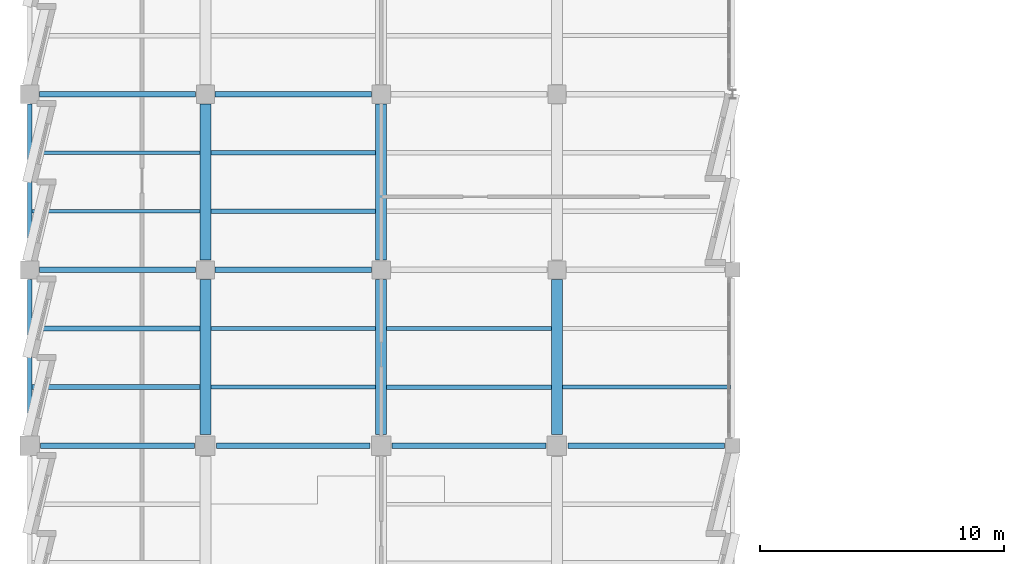
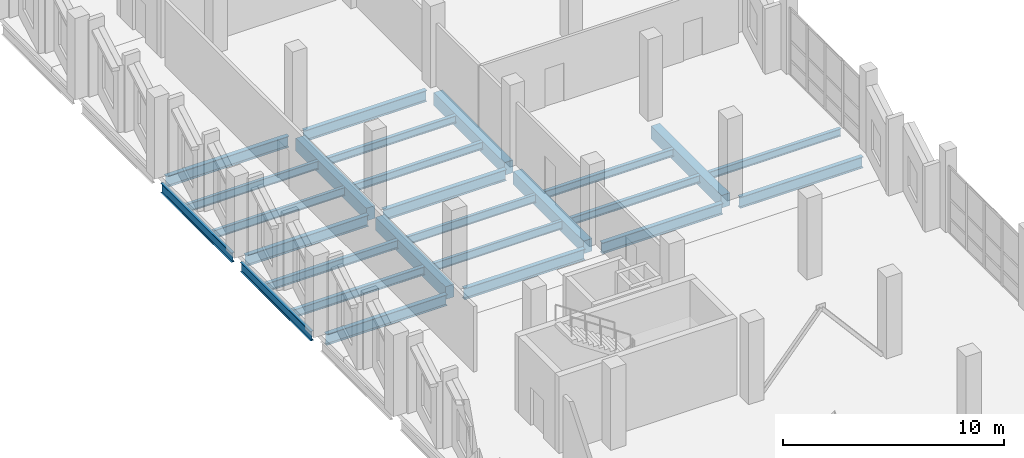
# One storey, part 41 of 123: 26 beams.
"""IFC4 building model written with IfcOpenShell, lengths in metres."""

import ifcopenshell
import ifcopenshell.guid

model = None  # the IFC model being written
_history = None  # IfcOwnerHistory: only IFC2X3 demands one
_inside = {}  # id of a spatial element -> (the spatial element, [elements in it])
_under = {}  # id of a project, library or spatial element -> (it, [spatial elements below it])
_declared = {}  # id of a project -> (the project, [libraries it declares])
_typed = {}  # id of a type object -> (the type object, [elements of that type])
_made_of = {}  # id of a material, layer set ... -> (it, [elements and type objects made of it])


def new_model(schema):
    """Start an empty IFC model of exactly this schema.

    Asked for "IFC4X3", IfcOpenShell would pick the latest addendum, in which some entities
    have other attributes; the version numbers below select the first issue.
    IFC2X3 requires an IfcOwnerHistory on every rooted entity: one is made here for all.
    """
    global model, _history
    if schema == "IFC4X3":
        model = ifcopenshell.file(schema_version=(4, 3, 0, 0))
    else:
        model = ifcopenshell.file(schema=schema)
    _inside.clear()
    _under.clear()
    _declared.clear()
    _typed.clear()
    _made_of.clear()
    _history = None
    if model.schema == "IFC2X3":
        org = make("IfcOrganization", Name="unknown")
        user = make(
            "IfcPersonAndOrganization",
            ThePerson=make("IfcPerson", FamilyName="unknown"),
            TheOrganization=org,
        )
        app = make(
            "IfcApplication",
            ApplicationDeveloper=org,
            Version="unknown",
            ApplicationFullName="unknown",
            ApplicationIdentifier="unknown",
        )
        _history = make(
            "IfcOwnerHistory",
            OwningUser=user,
            OwningApplication=app,
            ChangeAction="ADDED",
            CreationDate=0,
        )
    return model


def make(cls, **values):
    """One entity of the class cls with the attributes given. An attribute that is None is left unset."""
    return model.create_entity(
        cls, **{name: value for name, value in values.items() if value is not None}
    )


def rooted(cls, **values):
    """An entity with a GlobalId (a new one), such as an element, a storey or a relation."""
    return make(cls, GlobalId=ifcopenshell.guid.new(), OwnerHistory=_history, **values)


def si_unit(unit_type, name, prefix=None):
    """IfcSIUnit, for example si_unit("LENGTHUNIT", "METRE", prefix="MILLI")."""
    return make("IfcSIUnit", UnitType=unit_type, Prefix=prefix, Name=name)


def assignment(units):
    """IfcUnitAssignment: the units of a project."""
    return None if units is None else make("IfcUnitAssignment", Units=units)


def point(xyz):
    """IfcCartesianPoint."""
    return None if xyz is None else make("IfcCartesianPoint", Coordinates=xyz)


def direction(xyz):
    """IfcDirection."""
    return None if xyz is None else make("IfcDirection", DirectionRatios=xyz)


def frame(location, z_axis=None, x_axis=None):
    """IfcAxis2Placement3D, a coordinate frame: its origin and axes. An axis left out is left unset."""
    return make(
        "IfcAxis2Placement3D",
        Location=point(location),
        Axis=direction(z_axis),
        RefDirection=direction(x_axis),
    )


def frame_2d(location, x_axis=None):
    """IfcAxis2Placement2D, a coordinate frame in the plane: its origin and x axis."""
    return make(
        "IfcAxis2Placement2D", Location=point(location), RefDirection=direction(x_axis)
    )


def origin():
    """The frame at (0, 0, 0) with its axes left unset."""
    return frame((0.0, 0.0, 0.0))


def origin_2d():
    """The frame at (0, 0) in the plane with its x axis left unset."""
    return frame_2d((0.0, 0.0))


def place(relative_to, where):
    """IfcLocalPlacement: puts the frame where relative to a parent placement (None: the world)."""
    return make(
        "IfcLocalPlacement", PlacementRelTo=relative_to, RelativePlacement=where
    )


def context(
    kind, dimensions, precision=None, world=None, true_north=None, identifier=None
):
    """IfcGeometricRepresentationContext, for example the 3D "Model" context."""
    return make(
        "IfcGeometricRepresentationContext",
        ContextIdentifier=identifier,
        ContextType=kind,
        CoordinateSpaceDimension=dimensions,
        Precision=precision,
        WorldCoordinateSystem=world,
        TrueNorth=true_north,
    )


def subcontext(parent, identifier, kind, view, scale=None):
    """IfcGeometricRepresentationSubContext, for example "Body" below "Model"."""
    return make(
        "IfcGeometricRepresentationSubContext",
        ContextIdentifier=identifier,
        ContextType=kind,
        ParentContext=parent,
        TargetScale=scale,
        TargetView=view,
    )


def project(units=None, contexts=None):
    """IfcProject with its units and contexts."""
    return rooted(
        "IfcProject",
        Name="project",
        RepresentationContexts=contexts,
        UnitsInContext=assignment(units),
    )


def spatial(cls, under=None, at=None, **own):
    """A site, building, storey or space (cls), placed at a placement, below another one or the project."""
    s = rooted(cls, ObjectPlacement=at, **own)
    if under is not None:
        _under.setdefault(under.id(), (under, []))[1].append(s)
    return s


def profile(cls, at=None, kind="AREA", **sizes):
    """A parametric profile (cls). Its sizes go by their IFC names, for example OverallWidth=200.0."""
    return make(cls, ProfileType=kind, Position=at, **sizes)


def rectangle(**sizes):
    """IfcRectangleProfileDef."""
    return profile("IfcRectangleProfileDef", **sizes)


def i_section(**sizes):
    """IfcIShapeProfileDef."""
    return profile("IfcIShapeProfileDef", **sizes)


def extrude(swept, where, along, depth):
    """IfcExtrudedAreaSolid: the profile swept, set in the frame where, extruded along a direction by depth."""
    return make(
        "IfcExtrudedAreaSolid",
        SweptArea=swept,
        Position=where,
        ExtrudedDirection=direction(along),
        Depth=depth,
    )


def shape(context_of_items, identifier, shape_type, items):
    """IfcShapeRepresentation: the items that make up one representation, for example the "Body"."""
    return make(
        "IfcShapeRepresentation",
        ContextOfItems=context_of_items,
        RepresentationIdentifier=identifier,
        RepresentationType=shape_type,
        Items=items,
    )


def material(Name=None, Category=None):
    """IfcMaterial."""
    return make("IfcMaterial", Name=Name, Category=Category)


def material_profile(
    of_material, cross_section, Name=None, Category=None, Priority=None
):
    """IfcMaterialProfile: a cross section and its material."""
    return make(
        "IfcMaterialProfile",
        Name=Name,
        Material=of_material,
        Profile=cross_section,
        Priority=Priority,
        Category=Category,
    )


def profile_set(profiles, Name=None, composite=None):
    """IfcMaterialProfileSet."""
    return make(
        "IfcMaterialProfileSet",
        Name=Name,
        MaterialProfiles=profiles,
        CompositeProfile=composite,
    )


def made_of(thing, what):
    """Note that an element or type object is made of a material, layer set ...; save() writes the relation."""
    if what is not None:
        _made_of.setdefault(what.id(), (what, []))[1].append(thing)
    return thing


def type_object(cls, material=None, **own):
    """A type object (cls), such as IfcWallType, which elements share."""
    return made_of(rooted(cls, **own), material)


def element(
    cls,
    number,
    at=None,
    inside=None,
    cuts=None,
    type_object=None,
    material=None,
    context=None,
    identifier="Body",
    shape_type=None,
    held_by="IfcProductDefinitionShape",
    body=None,
    shapes=None,
    **own,
):
    """One element of the class cls, such as IfcWall. Its Tag is "e" and its number.

    at: its placement. inside: the storey or other place that contains it. cuts: it is an
    opening in that element (IfcRelVoidsElement). A single representation is given by context,
    identifier, shape_type and body (its items); several are given by shapes. held_by: the class
    of the entity that holds the representations. save() writes the other relations.
    """
    e = rooted(cls, Tag="e%d" % number, ObjectPlacement=at, **own)
    if body is not None:
        shapes = [shape(context, identifier, shape_type, body)]
    if shapes is not None:
        e.Representation = make(held_by, Representations=shapes)
    if inside is not None:
        _inside.setdefault(inside.id(), (inside, []))[1].append(e)
    if cuts is not None:
        rooted(
            "IfcRelVoidsElement", RelatingBuildingElement=cuts, RelatedOpeningElement=e
        )
    if type_object is not None:
        _typed.setdefault(type_object.id(), (type_object, []))[1].append(e)
    return made_of(e, material)


def aggregate(whole, parts):
    """IfcRelAggregates: a whole, such as a stair, and the parts it consists of."""
    return rooted("IfcRelAggregates", RelatingObject=whole, RelatedObjects=parts)


def save(model, path):
    """Write the relations noted so far, then the file.

    IfcRelAggregates (storeys below a building ...), IfcRelContainedInSpatialStructure (elements
    in a storey), IfcRelDefinesByType, IfcRelAssociatesMaterial and IfcRelDeclares: one each for
    every whole, place, type object, material and project.
    """
    for whole, parts in _under.values():
        aggregate(whole, parts)
    for where, things in _inside.values():
        rooted(
            "IfcRelContainedInSpatialStructure",
            RelatedElements=things,
            RelatingStructure=where,
        )
    for kind, things in _typed.values():
        rooted("IfcRelDefinesByType", RelatedObjects=things, RelatingType=kind)
    for what, things in _made_of.values():
        rooted("IfcRelAssociatesMaterial", RelatedObjects=things, RelatingMaterial=what)
    for by, libraries in _declared.values():
        rooted("IfcRelDeclares", RelatingContext=by, RelatedDefinitions=libraries)
    model.write(path)


model = new_model("IFC4")

# Units and contexts
model_context = context("Model", 3, precision=1e-05, world=origin(), true_north=direction((0.0, 1.0)))
body_context = subcontext(model_context, "Body", "Model", "MODEL_VIEW")
ifc_project = project(units=[si_unit("LENGTHUNIT", "METRE"), si_unit("AREAUNIT", "SQUARE_METRE"), si_unit("VOLUMEUNIT", "CUBIC_METRE"), si_unit("PLANEANGLEUNIT", "RADIAN"), si_unit("MASSUNIT", "GRAM", prefix="KILO")], contexts=[model_context])

# Site, building, storey
site_placement = place(None, origin())
site = spatial("IfcSite", under=ifc_project, at=site_placement, CompositionType="ELEMENT")
building_placement = place(site_placement, origin())
building = spatial("IfcBuilding", under=site, at=building_placement, Name="Kalmorath City Hall", CompositionType="ELEMENT")
storey_placement = place(building_placement, frame((0.0, 0.0, 10.199951171875)))
storey = spatial("IfcBuildingStorey", under=building, at=storey_placement, Name="L02", CompositionType="ELEMENT", Elevation=10.199951171875)

# Beams
ifc_material_1 = material(Name="Concrete C40/50", Category="concrete")
ifc_material_profile_1 = material_profile(ifc_material_1, rectangle(XDim=0.449951171875, YDim=0.699951171875, at=origin_2d()), Name="RC-BM-450X700")
ifc_profile_set_1 = profile_set([ifc_material_profile_1], Name="Concrete C40/50")
beam_type_1 = type_object("IfcBeamType", Name="Concrete floor beam 450x700", PredefinedType="BEAM", material=ifc_profile_set_1)
beam_1_placement = place(storey_placement, frame((7.199951171875, 65.25, -0.634033203125), z_axis=(0.0, 1.0, 0.0), x_axis=(-1.0, 0.0, 0.0)))
element("IfcBeam", 1, at=beam_1_placement, inside=storey, type_object=beam_type_1, Name="L02 girder CB4 Y2/10-11", PredefinedType="BEAM", context=body_context, shape_type="SweptSolid", body=[
    extrude(rectangle(XDim=0.449951171875, YDim=0.699951171875, at=origin_2d()), origin(), (0.0, 0.0, 1.0), 6.35009765625),
])
beam_2_placement = place(storey_placement, frame((7.199951171875, 72.39990234375, -0.634033203125), z_axis=(0.0, 1.0, 0.0), x_axis=(-1.0, 0.0, 0.0)))
element("IfcBeam", 2, at=beam_2_placement, inside=storey, type_object=beam_type_1, Name="L02 girder CB4 Y2/11-12", PredefinedType="BEAM", context=body_context, shape_type="SweptSolid", body=[
    extrude(rectangle(XDim=0.449951171875, YDim=0.699951171875, at=origin_2d()), origin(), (0.0, 0.0, 1.0), 6.400146484375),
])
beam_3_placement = place(storey_placement, frame((14.39990234375, 65.25, -0.634033203125), z_axis=(0.0, 1.0, 0.0), x_axis=(-1.0, 0.0, 0.0)))
element("IfcBeam", 3, at=beam_3_placement, inside=storey, type_object=beam_type_1, Name="L02 girder CB4 Y3/10-11", PredefinedType="BEAM", context=body_context, shape_type="SweptSolid", body=[
    extrude(rectangle(XDim=0.449951171875, YDim=0.699951171875, at=origin_2d()), origin(), (0.0, 0.0, 1.0), 6.35009765625),
])
beam_4_placement = place(storey_placement, frame((14.39990234375, 72.39990234375, -0.634033203125), z_axis=(0.0, 1.0, 0.0), x_axis=(-1.0, 0.0, 0.0)))
element("IfcBeam", 4, at=beam_4_placement, inside=storey, type_object=beam_type_1, Name="L02 girder CB4 Y3/11-12", PredefinedType="BEAM", context=body_context, shape_type="SweptSolid", body=[
    extrude(rectangle(XDim=0.449951171875, YDim=0.699951171875, at=origin_2d()), origin(), (0.0, 0.0, 1.0), 6.400146484375),
])
beam_5_placement = place(storey_placement, frame((21.60009765625, 65.25, -0.634033203125), z_axis=(0.0, 1.0, 0.0), x_axis=(-1.0, 0.0, 0.0)))
element("IfcBeam", 5, at=beam_5_placement, inside=storey, type_object=beam_type_1, Name="L02 girder CB4 Y4/10-11", PredefinedType="BEAM", context=body_context, shape_type="SweptSolid", body=[
    extrude(rectangle(XDim=0.449951171875, YDim=0.699951171875, at=origin_2d()), origin(), (0.0, 0.0, 1.0), 6.35009765625),
])
ifc_material_2 = material(Name="Steel ASTM A992 Grade 50", Category="steel")
ifc_material_profile_2 = material_profile(ifc_material_2, i_section(OverallWidth=0.178955078125, OverallDepth=0.409912109375, WebThickness=0.0087890625, FlangeThickness=0.014404296875, FilletRadius=0.012939453125, at=origin_2d()), Name="W16X45")
ifc_profile_set_2 = profile_set([ifc_material_profile_2], Name="Steel ASTM A992 Grade 50")
beam_type_2 = type_object("IfcBeamType", Name="Steel composite joist W16X45", PredefinedType="JOIST", material=ifc_profile_set_2)
beam_6_placement = place(storey_placement, frame((21.824951171875, 67.199951171875, -0.489013671875), z_axis=(1.0, 0.0, 0.0), x_axis=(0.0, 1.0, 0.0)))
element("IfcBeam", 6, at=beam_6_placement, inside=storey, type_object=beam_type_2, Name="L02 joist SJ6 4.10.1", PredefinedType="JOIST", context=body_context, shape_type="SweptSolid", body=[
    extrude(i_section(OverallWidth=0.178955078125, OverallDepth=0.409912109375, WebThickness=0.0087890625, FlangeThickness=0.014404296875, FilletRadius=0.012939453125, at=origin_2d()), origin(), (0.0, 0.0, 1.0), 6.892578125),
])
ifc_material_3 = material(Name="Steel ASTM A992 Grade 50", Category="steel")
ifc_material_profile_3 = material_profile(ifc_material_3, i_section(OverallWidth=0.180908203125, OverallDepth=0.4169921875, WebThickness=0.010986328125, FlangeThickness=0.018310546875, FilletRadius=0.012939453125, at=origin_2d()), Name="W16X57")
ifc_profile_set_3 = profile_set([ifc_material_profile_3], Name="Steel ASTM A992 Grade 50")
beam_type_3 = type_object("IfcBeamType", Name="Steel composite joist W16X57", PredefinedType="JOIST", material=ifc_profile_set_3)
for number, where, z_axis, x_axis, name in (
    (7, (7.425048828125, 74.39990234375, -0.492431640625), (1.0, 0.0, 0.0), (0.0, 1.0, 0.0), "L02 joist SJ5 2.11.1"),
    (8, (7.425048828125, 76.800048828125, -0.492431640625), (1.0, 0.0, 0.0), (0.0, 1.0, 0.0), "L02 joist SJ5 2.11.2"),
    (9, (14.625, 67.199951171875, -0.492431640625), (1.0, 0.0, 0.0), (0.0, 1.0, 0.0), "L02 joist SJ5 3.10.1"),
    (10, (14.625, 69.60009765625, -0.492431640625), (1.0, 0.0, 0.0), (0.0, 1.0, 0.0), "L02 joist SJ5 3.10.2"),
):
    element("IfcBeam", number, at=place(storey_placement, frame(where, z_axis=z_axis, x_axis=x_axis)), inside=storey, type_object=beam_type_3, Name=name, PredefinedType="JOIST", context=body_context, shape_type="SweptSolid", body=[
        extrude(i_section(OverallWidth=0.180908203125, OverallDepth=0.4169921875, WebThickness=0.010986328125, FlangeThickness=0.018310546875, FilletRadius=0.012939453125, at=origin_2d()), origin(), (0.0, 0.0, 1.0), 6.75),
    ])
ifc_material_4 = material(Name="Steel ASTM A992 Grade 50", Category="steel")
ifc_material_profile_4 = material_profile(ifc_material_4, i_section(OverallWidth=0.153076171875, OverallDepth=0.455078125, WebThickness=0.008056640625, FlangeThickness=0.01318359375, FilletRadius=0.013916015625, at=origin_2d()), Name="W18X40")
ifc_profile_set_4 = profile_set([ifc_material_profile_4], Name="Steel ASTM A992 Grade 50")
beam_type_4 = type_object("IfcBeamType", Name="Steel composite joist W18X40", PredefinedType="JOIST", material=ifc_profile_set_4)
for number, where, z_axis, x_axis, name in (
    (11, (0.08251953125, 74.39990234375, -0.511474609375), (1.0, 0.0, 0.0), (0.0, 1.0, 0.0), "L02 joist SJ4 1.11.1"),
    (12, (0.08251953125, 76.800048828125, -0.511474609375), (1.0, 0.0, 0.0), (0.0, 1.0, 0.0), "L02 joist SJ4 1.11.2"),
):
    element("IfcBeam", number, at=place(storey_placement, frame(where, z_axis=z_axis, x_axis=x_axis)), inside=storey, type_object=beam_type_4, Name=name, PredefinedType="JOIST", context=body_context, shape_type="SweptSolid", body=[
        extrude(i_section(OverallWidth=0.153076171875, OverallDepth=0.455078125, WebThickness=0.008056640625, FlangeThickness=0.01318359375, FilletRadius=0.013916015625, at=origin_2d()), origin(), (0.0, 0.0, 1.0), 6.892578125),
    ])
for number, where, z_axis, x_axis, name in (
    (13, (7.425048828125, 67.199951171875, -0.511474609375), (1.0, 0.0, 0.0), (0.0, 1.0, 0.0), "L02 joist SJ4 2.10.1"),
    (14, (7.425048828125, 69.60009765625, -0.511474609375), (1.0, 0.0, 0.0), (0.0, 1.0, 0.0), "L02 joist SJ4 2.10.2"),
):
    element("IfcBeam", number, at=place(storey_placement, frame(where, z_axis=z_axis, x_axis=x_axis)), inside=storey, type_object=beam_type_4, Name=name, PredefinedType="JOIST", context=body_context, shape_type="SweptSolid", body=[
        extrude(i_section(OverallWidth=0.153076171875, OverallDepth=0.455078125, WebThickness=0.008056640625, FlangeThickness=0.01318359375, FilletRadius=0.013916015625, at=origin_2d()), origin(), (0.0, 0.0, 1.0), 6.75),
    ])
ifc_material_5 = material(Name="Steel ASTM A992 Grade 50", Category="steel")
ifc_material_profile_5 = material_profile(ifc_material_5, i_section(OverallWidth=0.19091796875, OverallDepth=0.45703125, WebThickness=0.009033203125, FlangeThickness=0.014404296875, FilletRadius=0.013916015625, at=origin_2d()), Name="W18X50")
ifc_profile_set_5 = profile_set([ifc_material_profile_5], Name="Steel ASTM A992 Grade 50")
beam_type_5 = type_object("IfcBeamType", Name="Steel composite joist W18X50", PredefinedType="JOIST", material=ifc_profile_set_5)
for number, where, z_axis, x_axis, name in (
    (15, (0.08251953125, 67.199951171875, -0.512451171875), (1.0, 0.0, 0.0), (0.0, 1.0, 0.0), "L02 joist SJ3 1.10.1"),
    (16, (0.08251953125, 69.60009765625, -0.512451171875), (1.0, 0.0, 0.0), (0.0, 1.0, 0.0), "L02 joist SJ3 1.10.2"),
):
    element("IfcBeam", number, at=place(storey_placement, frame(where, z_axis=z_axis, x_axis=x_axis)), inside=storey, type_object=beam_type_5, Name=name, PredefinedType="JOIST", context=body_context, shape_type="SweptSolid", body=[
        extrude(i_section(OverallWidth=0.19091796875, OverallDepth=0.45703125, WebThickness=0.009033203125, FlangeThickness=0.014404296875, FilletRadius=0.013916015625, at=origin_2d()), origin(), (0.0, 0.0, 1.0), 6.892578125),
    ])
ifc_material_6 = material(Name="Steel ASTM A992 Grade 50", Category="steel")
ifc_material_profile_6 = material_profile(ifc_material_6, i_section(OverallWidth=0.22900390625, OverallDepth=0.612060546875, WebThickness=0.011962890625, FlangeThickness=0.01953125, FilletRadius=0.01611328125, at=origin_2d()), Name="W24X84")
ifc_profile_set_6 = profile_set([ifc_material_profile_6], Name="Steel ASTM A992 Grade 50")
beam_type_6 = type_object("IfcBeamType", Name="Steel floor girder W24X84", PredefinedType="BEAM", material=ifc_profile_set_6)
for number, where, z_axis, x_axis, name in (
    (17, (0.449951171875, 64.800048828125, -0.58984375), (1.0, 0.0, 0.0), (0.0, 1.0, 0.0), "L02 girder SG8 X1-2/10"),
    (18, (7.64990234375, 64.800048828125, -0.58984375), (1.0, 0.0, 0.0), (0.0, 1.0, 0.0), "L02 girder SG8 X2-3/10"),
):
    element("IfcBeam", number, at=place(storey_placement, frame(where, z_axis=z_axis, x_axis=x_axis)), inside=storey, type_object=beam_type_6, Name=name, PredefinedType="BEAM", context=body_context, shape_type="SweptSolid", body=[
        extrude(i_section(OverallWidth=0.22900390625, OverallDepth=0.612060546875, WebThickness=0.011962890625, FlangeThickness=0.01953125, FilletRadius=0.01611328125, at=origin_2d()), origin(), (0.0, 0.0, 1.0), 6.300048828125),
    ])
beam_7_placement = place(storey_placement, frame((14.85009765625, 64.800048828125, -0.58984375), z_axis=(1.0, 0.0, 0.0), x_axis=(0.0, 1.0, 0.0)))
element("IfcBeam", 19, at=beam_7_placement, inside=storey, type_object=beam_type_6, Name="L02 girder SG8 X3-4/10", PredefinedType="BEAM", context=body_context, shape_type="SweptSolid", body=[
    extrude(i_section(OverallWidth=0.22900390625, OverallDepth=0.612060546875, WebThickness=0.011962890625, FlangeThickness=0.01953125, FilletRadius=0.01611328125, at=origin_2d()), origin(), (0.0, 0.0, 1.0), 6.2998046875),
])
beam_8_placement = place(storey_placement, frame((22.050048828125, 64.800048828125, -0.58984375), z_axis=(1.0, 0.0, 0.0), x_axis=(0.0, 1.0, 0.0)))
element("IfcBeam", 20, at=beam_8_placement, inside=storey, type_object=beam_type_6, Name="L02 girder SG8 X4-5/10", PredefinedType="BEAM", context=body_context, shape_type="SweptSolid", body=[
    extrude(i_section(OverallWidth=0.22900390625, OverallDepth=0.612060546875, WebThickness=0.011962890625, FlangeThickness=0.01953125, FilletRadius=0.01611328125, at=origin_2d()), origin(), (0.0, 0.0, 1.0), 6.425048828125),
])
beam_9_placement = place(storey_placement, frame((0.39990234375, 72.0, -0.58984375), z_axis=(1.0, 0.0, 0.0), x_axis=(0.0, 1.0, 0.0)))
element("IfcBeam", 21, at=beam_9_placement, inside=storey, type_object=beam_type_6, Name="L02 girder SG8 X1-2/11", PredefinedType="BEAM", context=body_context, shape_type="SweptSolid", body=[
    extrude(i_section(OverallWidth=0.22900390625, OverallDepth=0.612060546875, WebThickness=0.011962890625, FlangeThickness=0.01953125, FilletRadius=0.01611328125, at=origin_2d()), origin(), (0.0, 0.0, 1.0), 6.400146484375),
])
beam_10_placement = place(storey_placement, frame((7.60009765625, 72.0, -0.58984375), z_axis=(1.0, 0.0, 0.0), x_axis=(0.0, 1.0, 0.0)))
element("IfcBeam", 22, at=beam_10_placement, inside=storey, type_object=beam_type_6, Name="L02 girder SG8 X2-3/11", PredefinedType="BEAM", context=body_context, shape_type="SweptSolid", body=[
    extrude(i_section(OverallWidth=0.22900390625, OverallDepth=0.612060546875, WebThickness=0.011962890625, FlangeThickness=0.01953125, FilletRadius=0.01611328125, at=origin_2d()), origin(), (0.0, 0.0, 1.0), 6.39990234375),
])
beam_11_placement = place(storey_placement, frame((0.39990234375, 79.199951171875, -0.58984375), z_axis=(1.0, 0.0, 0.0), x_axis=(0.0, 1.0, 0.0)))
element("IfcBeam", 23, at=beam_11_placement, inside=storey, type_object=beam_type_6, Name="L02 girder SG8 X1-2/12", PredefinedType="BEAM", context=body_context, shape_type="SweptSolid", body=[
    extrude(i_section(OverallWidth=0.22900390625, OverallDepth=0.612060546875, WebThickness=0.011962890625, FlangeThickness=0.01953125, FilletRadius=0.01611328125, at=origin_2d()), origin(), (0.0, 0.0, 1.0), 6.400146484375),
])
beam_12_placement = place(storey_placement, frame((7.60009765625, 79.199951171875, -0.58984375), z_axis=(1.0, 0.0, 0.0), x_axis=(0.0, 1.0, 0.0)))
element("IfcBeam", 24, at=beam_12_placement, inside=storey, type_object=beam_type_6, Name="L02 girder SG8 X2-3/12", PredefinedType="BEAM", context=body_context, shape_type="SweptSolid", body=[
    extrude(i_section(OverallWidth=0.22900390625, OverallDepth=0.612060546875, WebThickness=0.011962890625, FlangeThickness=0.01953125, FilletRadius=0.01611328125, at=origin_2d()), origin(), (0.0, 0.0, 1.0), 6.39990234375),
])
ifc_material_7 = material(Name="Steel ASTM A992 Grade 50", Category="steel")
ifc_material_profile_7 = material_profile(ifc_material_7, i_section(OverallWidth=0.1650390625, OverallDepth=0.52490234375, WebThickness=0.0087890625, FlangeThickness=0.011474609375, FilletRadius=0.014892578125, at=origin_2d()), Name="W21X44")
ifc_profile_set_7 = profile_set([ifc_material_profile_7], Name="Steel ASTM A992 Grade 50")
beam_type_7 = type_object("IfcBeamType", Name="Steel spandrel beam W21X44", PredefinedType="SPANDREL", material=ifc_profile_set_7)
beam_13_placement = place(storey_placement, frame((0.0, 65.25, -0.54638671875), z_axis=(0.0, 1.0, 0.0), x_axis=(-1.0, 0.0, 0.0)))
element("IfcBeam", 25, at=beam_13_placement, inside=storey, type_object=beam_type_7, Name="L02 girder SB4 Y1/10-11", PredefinedType="SPANDREL", context=body_context, shape_type="SweptSolid", body=[
    extrude(i_section(OverallWidth=0.1650390625, OverallDepth=0.52490234375, WebThickness=0.0087890625, FlangeThickness=0.011474609375, FilletRadius=0.014892578125, at=origin_2d()), origin(), (0.0, 0.0, 1.0), 6.35009765625),
])
beam_14_placement = place(storey_placement, frame((0.0, 72.39990234375, -0.54638671875), z_axis=(0.0, 1.0, 0.0), x_axis=(-1.0, 0.0, 0.0)))
element("IfcBeam", 26, at=beam_14_placement, inside=storey, type_object=beam_type_7, Name="L02 girder SB4 Y1/11-12", PredefinedType="SPANDREL", context=body_context, shape_type="SweptSolid", body=[
    extrude(i_section(OverallWidth=0.1650390625, OverallDepth=0.52490234375, WebThickness=0.0087890625, FlangeThickness=0.011474609375, FilletRadius=0.014892578125, at=origin_2d()), origin(), (0.0, 0.0, 1.0), 6.400146484375),
])

save(model, "model.ifc")
